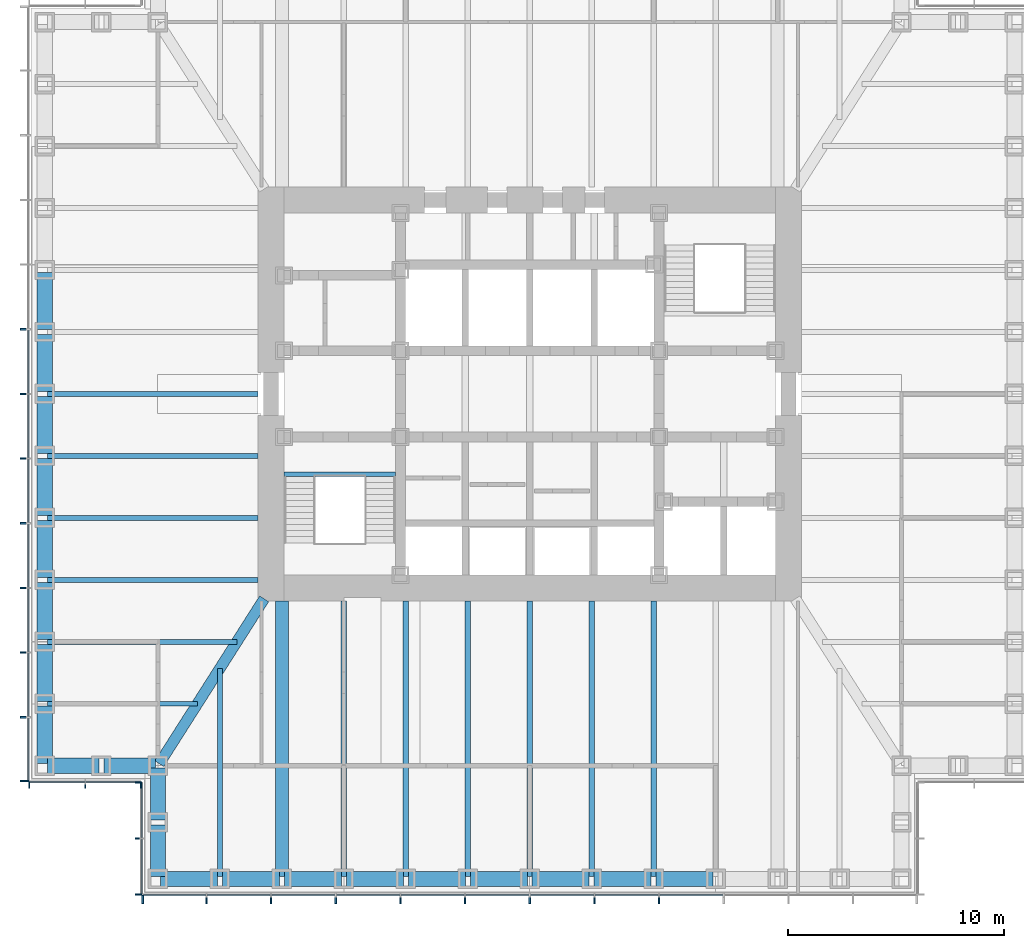
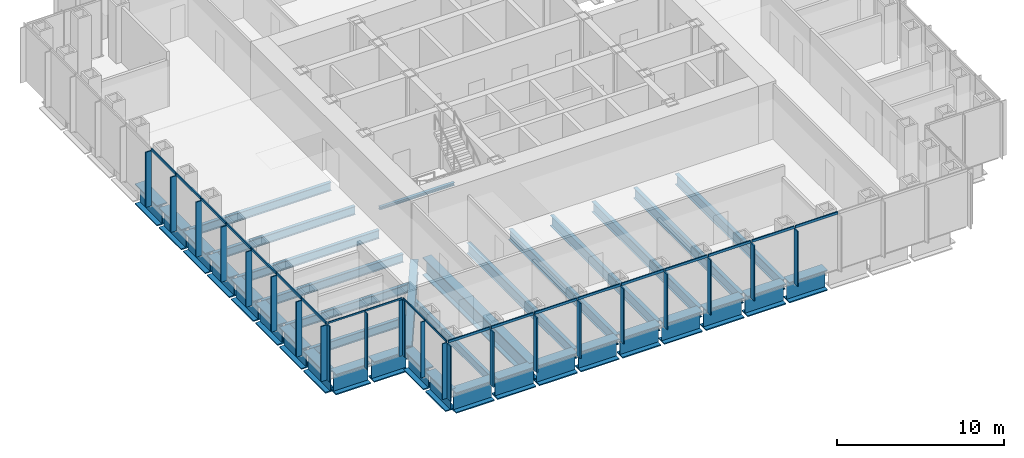
# One storey, part 2 of 17: 43 members, 37 beams, 4 elements without a shape of their own.
"""IFC4 building model written with IfcOpenShell, lengths in metres."""

from ifc_helpers import new_model, si_unit, direction, frame, origin, origin_2d, place, context, subcontext, project, spatial, rectangle, i_section, extrude, material, material_profile, profile_set, type_object, element, aggregate, save


model = new_model("IFC4")

# Units and contexts
model_context = context("Model", 3, precision=1e-05, world=origin(), true_north=direction((0.0, 1.0)))
body_context = subcontext(model_context, "Body", "Model", "MODEL_VIEW")
ifc_project = project(units=[si_unit("LENGTHUNIT", "METRE"), si_unit("AREAUNIT", "SQUARE_METRE"), si_unit("VOLUMEUNIT", "CUBIC_METRE"), si_unit("PLANEANGLEUNIT", "RADIAN"), si_unit("MASSUNIT", "GRAM", prefix="KILO")], contexts=[model_context])

# Site, building, storey
site_placement = place(None, origin())
site = spatial("IfcSite", under=ifc_project, at=site_placement, CompositionType="ELEMENT")
building_placement = place(site_placement, origin())
building = spatial("IfcBuilding", under=site, at=building_placement, Name="Daluyong Arena Tower", CompositionType="ELEMENT")
storey_placement = place(building_placement, frame((0.0, 0.0, 166.89990234375)))
storey = spatial("IfcBuildingStorey", under=building, at=storey_placement, Name="L37", CompositionType="ELEMENT", Elevation=166.89990234375)

# Curtain wall, members
ifc_material_1 = material(Name="Bronze anodised aluminium and glass", Category="aluminium")
curtain_wall_type_1 = type_object("IfcCurtainWallType", Name="Curtain wall CW2", PredefinedType="USERDEFINED", material=ifc_material_1)
curtain_wall_1_placement = place(storey_placement, origin())
curtain_wall_1 = element("IfcCurtainWall", 1, at=curtain_wall_1_placement, inside=storey, type_object=curtain_wall_type_1, Name="curtain wall L37 S", ObjectType="UNITISED CURTAIN WALL", PredefinedType="USERDEFINED")
ifc_material_2 = material(Name="Bronze anodised aluminium fin", Category="aluminium")
ifc_material_profile_1 = material_profile(ifc_material_2, rectangle(XDim=0.39990234375, YDim=0.080078125, at=origin_2d()))
ifc_profile_set_1 = profile_set([ifc_material_profile_1], Name="Bronze anodised aluminium fin")
member_type_1 = type_object("IfcMemberType", Name="CW2 bronze fin 400x80", PredefinedType="MULLION", material=ifc_profile_set_1)
member_1_placement = place(storey_placement, frame((38.0400390625, 56.550048828125, 0.0), z_axis=(0.0, 0.0, 1.0), x_axis=(0.0, 1.0, 0.0)))
member_1 = element("IfcMember", 2, at=member_1_placement, type_object=member_type_1, Name="curtain wall L37 S fin 1", PredefinedType="MULLION", context=body_context, shape_type="SweptSolid", body=[
    extrude(rectangle(XDim=0.39990234375, YDim=0.080078125, at=origin_2d()), origin(), (0.0, 0.0, 1.0), 4.02001953125),
])
member_2_placement = place(storey_placement, frame((41.0, 56.550048828125, 0.0), z_axis=(0.0, 0.0, 1.0), x_axis=(0.0, 1.0, 0.0)))
member_2 = element("IfcMember", 3, at=member_2_placement, type_object=member_type_1, Name="curtain wall L37 S fin 2", PredefinedType="MULLION", context=body_context, shape_type="SweptSolid", body=[
    extrude(rectangle(XDim=0.39990234375, YDim=0.080078125, at=origin_2d()), origin(), (0.0, 0.0, 1.0), 4.02001953125),
])
member_3_placement = place(storey_placement, frame((44.0, 56.550048828125, 0.0), z_axis=(0.0, 0.0, 1.0), x_axis=(0.0, 1.0, 0.0)))
member_3 = element("IfcMember", 4, at=member_3_placement, type_object=member_type_1, Name="curtain wall L37 S fin 3", PredefinedType="MULLION", context=body_context, shape_type="SweptSolid", body=[
    extrude(rectangle(XDim=0.39990234375, YDim=0.080078125, at=origin_2d()), origin(), (0.0, 0.0, 1.0), 4.02001953125),
])
member_4_placement = place(storey_placement, frame((47.0, 56.550048828125, 0.0), z_axis=(0.0, 0.0, 1.0), x_axis=(0.0, 1.0, 0.0)))
member_4 = element("IfcMember", 5, at=member_4_placement, type_object=member_type_1, Name="curtain wall L37 S fin 4", PredefinedType="MULLION", context=body_context, shape_type="SweptSolid", body=[
    extrude(rectangle(XDim=0.39990234375, YDim=0.080078125, at=origin_2d()), origin(), (0.0, 0.0, 1.0), 4.02001953125),
])
member_5_placement = place(storey_placement, frame((50.0, 56.550048828125, 0.0), z_axis=(0.0, 0.0, 1.0), x_axis=(0.0, 1.0, 0.0)))
member_5 = element("IfcMember", 6, at=member_5_placement, type_object=member_type_1, Name="curtain wall L37 S fin 5", PredefinedType="MULLION", context=body_context, shape_type="SweptSolid", body=[
    extrude(rectangle(XDim=0.39990234375, YDim=0.080078125, at=origin_2d()), origin(), (0.0, 0.0, 1.0), 4.02001953125),
])
member_6_placement = place(storey_placement, frame((53.0, 56.550048828125, 0.0), z_axis=(0.0, 0.0, 1.0), x_axis=(0.0, 1.0, 0.0)))
member_6 = element("IfcMember", 7, at=member_6_placement, type_object=member_type_1, Name="curtain wall L37 S fin 6", PredefinedType="MULLION", context=body_context, shape_type="SweptSolid", body=[
    extrude(rectangle(XDim=0.39990234375, YDim=0.080078125, at=origin_2d()), origin(), (0.0, 0.0, 1.0), 4.02001953125),
])
member_7_placement = place(storey_placement, frame((56.0, 56.550048828125, 0.0), z_axis=(0.0, 0.0, 1.0), x_axis=(0.0, 1.0, 0.0)))
member_7 = element("IfcMember", 8, at=member_7_placement, type_object=member_type_1, Name="curtain wall L37 S fin 7", PredefinedType="MULLION", context=body_context, shape_type="SweptSolid", body=[
    extrude(rectangle(XDim=0.39990234375, YDim=0.080078125, at=origin_2d()), origin(), (0.0, 0.0, 1.0), 4.02001953125),
])
member_8_placement = place(storey_placement, frame((59.0, 56.550048828125, 0.0), z_axis=(0.0, 0.0, 1.0), x_axis=(0.0, 1.0, 0.0)))
member_8 = element("IfcMember", 9, at=member_8_placement, type_object=member_type_1, Name="curtain wall L37 S fin 8", PredefinedType="MULLION", context=body_context, shape_type="SweptSolid", body=[
    extrude(rectangle(XDim=0.39990234375, YDim=0.080078125, at=origin_2d()), origin(), (0.0, 0.0, 1.0), 4.02001953125),
])
member_9_placement = place(storey_placement, frame((62.0, 56.550048828125, 0.0), z_axis=(0.0, 0.0, 1.0), x_axis=(0.0, 1.0, 0.0)))
member_9 = element("IfcMember", 10, at=member_9_placement, type_object=member_type_1, Name="curtain wall L37 S fin 9", PredefinedType="MULLION", context=body_context, shape_type="SweptSolid", body=[
    extrude(rectangle(XDim=0.39990234375, YDim=0.080078125, at=origin_2d()), origin(), (0.0, 0.0, 1.0), 4.02001953125),
])

curtain_wall_2_placement = place(storey_placement, origin())
curtain_wall_2 = element("IfcCurtainWall", 11, at=curtain_wall_2_placement, inside=storey, type_object=curtain_wall_type_1, Name="curtain wall L37 W", ObjectType="UNITISED CURTAIN WALL", PredefinedType="USERDEFINED")
member_10_placement = place(storey_placement, frame((32.550048828125, 83.0, 0.0), z_axis=(0.0, 0.0, 1.0), x_axis=(1.0, 0.0, 0.0)))
member_10 = element("IfcMember", 12, at=member_10_placement, type_object=member_type_1, Name="curtain wall L37 W fin 6", PredefinedType="MULLION", context=body_context, shape_type="SweptSolid", body=[
    extrude(rectangle(XDim=0.39990234375, YDim=0.080078125, at=origin_2d()), origin(), (0.0, 0.0, 1.0), 4.02001953125),
])
member_11_placement = place(storey_placement, frame((32.550048828125, 80.0, 0.0), z_axis=(0.0, 0.0, 1.0), x_axis=(1.0, 0.0, 0.0)))
member_11 = element("IfcMember", 13, at=member_11_placement, type_object=member_type_1, Name="curtain wall L37 W fin 7", PredefinedType="MULLION", context=body_context, shape_type="SweptSolid", body=[
    extrude(rectangle(XDim=0.39990234375, YDim=0.080078125, at=origin_2d()), origin(), (0.0, 0.0, 1.0), 4.02001953125),
])
member_12_placement = place(storey_placement, frame((32.550048828125, 77.0, 0.0), z_axis=(0.0, 0.0, 1.0), x_axis=(1.0, 0.0, 0.0)))
member_12 = element("IfcMember", 14, at=member_12_placement, type_object=member_type_1, Name="curtain wall L37 W fin 8", PredefinedType="MULLION", context=body_context, shape_type="SweptSolid", body=[
    extrude(rectangle(XDim=0.39990234375, YDim=0.080078125, at=origin_2d()), origin(), (0.0, 0.0, 1.0), 4.02001953125),
])
member_13_placement = place(storey_placement, frame((32.550048828125, 74.0, 0.0), z_axis=(0.0, 0.0, 1.0), x_axis=(1.0, 0.0, 0.0)))
member_13 = element("IfcMember", 15, at=member_13_placement, type_object=member_type_1, Name="curtain wall L37 W fin 9", PredefinedType="MULLION", context=body_context, shape_type="SweptSolid", body=[
    extrude(rectangle(XDim=0.39990234375, YDim=0.080078125, at=origin_2d()), origin(), (0.0, 0.0, 1.0), 4.02001953125),
])
member_14_placement = place(storey_placement, frame((32.550048828125, 71.0, 0.0), z_axis=(0.0, 0.0, 1.0), x_axis=(1.0, 0.0, 0.0)))
member_14 = element("IfcMember", 16, at=member_14_placement, type_object=member_type_1, Name="curtain wall L37 W fin 10", PredefinedType="MULLION", context=body_context, shape_type="SweptSolid", body=[
    extrude(rectangle(XDim=0.39990234375, YDim=0.080078125, at=origin_2d()), origin(), (0.0, 0.0, 1.0), 4.02001953125),
])
member_15_placement = place(storey_placement, frame((32.550048828125, 68.0, 0.0), z_axis=(0.0, 0.0, 1.0), x_axis=(1.0, 0.0, 0.0)))
member_15 = element("IfcMember", 17, at=member_15_placement, type_object=member_type_1, Name="curtain wall L37 W fin 11", PredefinedType="MULLION", context=body_context, shape_type="SweptSolid", body=[
    extrude(rectangle(XDim=0.39990234375, YDim=0.080078125, at=origin_2d()), origin(), (0.0, 0.0, 1.0), 4.02001953125),
])
member_16_placement = place(storey_placement, frame((32.550048828125, 65.0, 0.0), z_axis=(0.0, 0.0, 1.0), x_axis=(1.0, 0.0, 0.0)))
member_16 = element("IfcMember", 18, at=member_16_placement, type_object=member_type_1, Name="curtain wall L37 W fin 12", PredefinedType="MULLION", context=body_context, shape_type="SweptSolid", body=[
    extrude(rectangle(XDim=0.39990234375, YDim=0.080078125, at=origin_2d()), origin(), (0.0, 0.0, 1.0), 4.02001953125),
])
member_17_placement = place(storey_placement, frame((32.550048828125, 62.0400390625, 0.0), z_axis=(0.0, 0.0, 1.0), x_axis=(1.0, 0.0, 0.0)))
member_17 = element("IfcMember", 19, at=member_17_placement, type_object=member_type_1, Name="curtain wall L37 W fin 13", PredefinedType="MULLION", context=body_context, shape_type="SweptSolid", body=[
    extrude(rectangle(XDim=0.39990234375, YDim=0.080078125, at=origin_2d()), origin(), (0.0, 0.0, 1.0), 4.02001953125),
])

# Member
ifc_material_3 = material(Name="Bronze anodised aluminium", Category="aluminium")
ifc_material_profile_2 = material_profile(ifc_material_3, rectangle(XDim=0.080078125, YDim=0.179931640625, at=origin_2d()))
ifc_profile_set_2 = profile_set([ifc_material_profile_2], Name="Bronze anodised aluminium")
member_type_2 = type_object("IfcMemberType", Name="CW2 stack transom 180x80", PredefinedType="USERDEFINED", material=ifc_profile_set_2)
member_18_placement = place(storey_placement, frame((38.080078125, 56.75, 4.110107421875), z_axis=(1.0, 0.0, 0.0), x_axis=(0.0, 1.0, 0.0)))
member_18 = element("IfcMember", 20, at=member_18_placement, type_object=member_type_2, Name="curtain wall L37 S transom 1", ObjectType="TRANSOM", PredefinedType="USERDEFINED", context=body_context, shape_type="SweptSolid", body=[
    extrude(rectangle(XDim=0.080078125, YDim=0.179931640625, at=origin_2d()), origin(), (0.0, 0.0, 1.0), 2.8798828125),
])

member_19_placement = place(storey_placement, frame((41.0400390625, 56.75, 4.110107421875), z_axis=(1.0, 0.0, 0.0), x_axis=(0.0, 1.0, 0.0)))
member_19 = element("IfcMember", 21, at=member_19_placement, type_object=member_type_2, Name="curtain wall L37 S transom 2", ObjectType="TRANSOM", PredefinedType="USERDEFINED", context=body_context, shape_type="SweptSolid", body=[
    extrude(rectangle(XDim=0.080078125, YDim=0.179931640625, at=origin_2d()), origin(), (0.0, 0.0, 1.0), 2.919921875),
])

member_20_placement = place(storey_placement, frame((44.0400390625, 56.75, 4.110107421875), z_axis=(1.0, 0.0, 0.0), x_axis=(0.0, 1.0, 0.0)))
member_20 = element("IfcMember", 22, at=member_20_placement, type_object=member_type_2, Name="curtain wall L37 S transom 3", ObjectType="TRANSOM", PredefinedType="USERDEFINED", context=body_context, shape_type="SweptSolid", body=[
    extrude(rectangle(XDim=0.080078125, YDim=0.179931640625, at=origin_2d()), origin(), (0.0, 0.0, 1.0), 2.919921875),
])

member_21_placement = place(storey_placement, frame((47.0400390625, 56.75, 4.110107421875), z_axis=(1.0, 0.0, 0.0), x_axis=(0.0, 1.0, 0.0)))
member_21 = element("IfcMember", 23, at=member_21_placement, type_object=member_type_2, Name="curtain wall L37 S transom 4", ObjectType="TRANSOM", PredefinedType="USERDEFINED", context=body_context, shape_type="SweptSolid", body=[
    extrude(rectangle(XDim=0.080078125, YDim=0.179931640625, at=origin_2d()), origin(), (0.0, 0.0, 1.0), 2.919921875),
])

member_22_placement = place(storey_placement, frame((50.0400390625, 56.75, 4.110107421875), z_axis=(1.0, 0.0, 0.0), x_axis=(0.0, 1.0, 0.0)))
member_22 = element("IfcMember", 24, at=member_22_placement, type_object=member_type_2, Name="curtain wall L37 S transom 5", ObjectType="TRANSOM", PredefinedType="USERDEFINED", context=body_context, shape_type="SweptSolid", body=[
    extrude(rectangle(XDim=0.080078125, YDim=0.179931640625, at=origin_2d()), origin(), (0.0, 0.0, 1.0), 2.919921875),
])

member_23_placement = place(storey_placement, frame((53.0400390625, 56.75, 4.110107421875), z_axis=(1.0, 0.0, 0.0), x_axis=(0.0, 1.0, 0.0)))
member_23 = element("IfcMember", 25, at=member_23_placement, type_object=member_type_2, Name="curtain wall L37 S transom 6", ObjectType="TRANSOM", PredefinedType="USERDEFINED", context=body_context, shape_type="SweptSolid", body=[
    extrude(rectangle(XDim=0.080078125, YDim=0.179931640625, at=origin_2d()), origin(), (0.0, 0.0, 1.0), 2.919921875),
])

member_24_placement = place(storey_placement, frame((56.0400390625, 56.75, 4.110107421875), z_axis=(1.0, 0.0, 0.0), x_axis=(0.0, 1.0, 0.0)))
member_24 = element("IfcMember", 26, at=member_24_placement, type_object=member_type_2, Name="curtain wall L37 S transom 7", ObjectType="TRANSOM", PredefinedType="USERDEFINED", context=body_context, shape_type="SweptSolid", body=[
    extrude(rectangle(XDim=0.080078125, YDim=0.179931640625, at=origin_2d()), origin(), (0.0, 0.0, 1.0), 2.919921875),
])

member_25_placement = place(storey_placement, frame((59.0400390625, 56.75, 4.110107421875), z_axis=(1.0, 0.0, 0.0), x_axis=(0.0, 1.0, 0.0)))
member_25 = element("IfcMember", 27, at=member_25_placement, type_object=member_type_2, Name="curtain wall L37 S transom 8", ObjectType="TRANSOM", PredefinedType="USERDEFINED", context=body_context, shape_type="SweptSolid", body=[
    extrude(rectangle(XDim=0.080078125, YDim=0.179931640625, at=origin_2d()), origin(), (0.0, 0.0, 1.0), 2.919921875),
])

member_26_placement = place(storey_placement, frame((62.0400390625, 56.75, 4.110107421875), z_axis=(1.0, 0.0, 0.0), x_axis=(0.0, 1.0, 0.0)))
member_26 = element("IfcMember", 28, at=member_26_placement, type_object=member_type_2, Name="curtain wall L37 S transom 9", ObjectType="TRANSOM", PredefinedType="USERDEFINED", context=body_context, shape_type="SweptSolid", body=[
    extrude(rectangle(XDim=0.080078125, YDim=0.179931640625, at=origin_2d()), origin(), (0.0, 0.0, 1.0), 2.919921875),
])

aggregate(curtain_wall_1, [member_1, member_2, member_3, member_4, member_5, member_6, member_7, member_8, member_9, member_18, member_19, member_20, member_21, member_22, member_23, member_24, member_25, member_26])

member_27_placement = place(storey_placement, frame((32.75, 82.9599609375, 4.110107421875), z_axis=(0.0, -1.0, 0.0), x_axis=(1.0, 0.0, 0.0)))
member_27 = element("IfcMember", 29, at=member_27_placement, type_object=member_type_2, Name="curtain wall L37 W transom 6", ObjectType="TRANSOM", PredefinedType="USERDEFINED", context=body_context, shape_type="SweptSolid", body=[
    extrude(rectangle(XDim=0.080078125, YDim=0.179931640625, at=origin_2d()), origin(), (0.0, 0.0, 1.0), 2.919921875),
])

member_28_placement = place(storey_placement, frame((32.75, 79.9599609375, 4.110107421875), z_axis=(0.0, -1.0, 0.0), x_axis=(1.0, 0.0, 0.0)))
member_28 = element("IfcMember", 30, at=member_28_placement, type_object=member_type_2, Name="curtain wall L37 W transom 7", ObjectType="TRANSOM", PredefinedType="USERDEFINED", context=body_context, shape_type="SweptSolid", body=[
    extrude(rectangle(XDim=0.080078125, YDim=0.179931640625, at=origin_2d()), origin(), (0.0, 0.0, 1.0), 2.919921875),
])

member_29_placement = place(storey_placement, frame((32.75, 76.9599609375, 4.110107421875), z_axis=(0.0, -1.0, 0.0), x_axis=(1.0, 0.0, 0.0)))
member_29 = element("IfcMember", 31, at=member_29_placement, type_object=member_type_2, Name="curtain wall L37 W transom 8", ObjectType="TRANSOM", PredefinedType="USERDEFINED", context=body_context, shape_type="SweptSolid", body=[
    extrude(rectangle(XDim=0.080078125, YDim=0.179931640625, at=origin_2d()), origin(), (0.0, 0.0, 1.0), 2.919921875),
])

member_30_placement = place(storey_placement, frame((32.75, 73.9599609375, 4.110107421875), z_axis=(0.0, -1.0, 0.0), x_axis=(1.0, 0.0, 0.0)))
member_30 = element("IfcMember", 32, at=member_30_placement, type_object=member_type_2, Name="curtain wall L37 W transom 9", ObjectType="TRANSOM", PredefinedType="USERDEFINED", context=body_context, shape_type="SweptSolid", body=[
    extrude(rectangle(XDim=0.080078125, YDim=0.179931640625, at=origin_2d()), origin(), (0.0, 0.0, 1.0), 2.919921875),
])

member_31_placement = place(storey_placement, frame((32.75, 70.9599609375, 4.110107421875), z_axis=(0.0, -1.0, 0.0), x_axis=(1.0, 0.0, 0.0)))
member_31 = element("IfcMember", 33, at=member_31_placement, type_object=member_type_2, Name="curtain wall L37 W transom 10", ObjectType="TRANSOM", PredefinedType="USERDEFINED", context=body_context, shape_type="SweptSolid", body=[
    extrude(rectangle(XDim=0.080078125, YDim=0.179931640625, at=origin_2d()), origin(), (0.0, 0.0, 1.0), 2.919921875),
])

member_32_placement = place(storey_placement, frame((32.75, 67.9599609375, 4.110107421875), z_axis=(0.0, -1.0, 0.0), x_axis=(1.0, 0.0, 0.0)))
member_32 = element("IfcMember", 34, at=member_32_placement, type_object=member_type_2, Name="curtain wall L37 W transom 11", ObjectType="TRANSOM", PredefinedType="USERDEFINED", context=body_context, shape_type="SweptSolid", body=[
    extrude(rectangle(XDim=0.080078125, YDim=0.179931640625, at=origin_2d()), origin(), (0.0, 0.0, 1.0), 2.919921875),
])

member_33_placement = place(storey_placement, frame((32.75, 64.9599609375, 4.110107421875), z_axis=(0.0, -1.0, 0.0), x_axis=(1.0, 0.0, 0.0)))
member_33 = element("IfcMember", 35, at=member_33_placement, type_object=member_type_2, Name="curtain wall L37 W transom 12", ObjectType="TRANSOM", PredefinedType="USERDEFINED", context=body_context, shape_type="SweptSolid", body=[
    extrude(rectangle(XDim=0.080078125, YDim=0.179931640625, at=origin_2d()), origin(), (0.0, 0.0, 1.0), 2.8798828125),
])

aggregate(curtain_wall_2, [member_10, member_11, member_12, member_13, member_14, member_15, member_16, member_17, member_27, member_28, member_29, member_30, member_31, member_32, member_33])

# Curtain wall, members
ifc_material_4 = material(Name="Bronze anodised aluminium and glass", Category="aluminium")
curtain_wall_type_2 = type_object("IfcCurtainWallType", Name="Curtain wall CW7", PredefinedType="USERDEFINED", material=ifc_material_4)
curtain_wall_3_placement = place(storey_placement, origin())
curtain_wall_3 = element("IfcCurtainWall", 36, at=curtain_wall_3_placement, inside=storey, type_object=curtain_wall_type_2, Name="curtain wall L37 SW-S", ObjectType="UNITISED CURTAIN WALL", PredefinedType="USERDEFINED")
ifc_material_5 = material(Name="Bronze anodised aluminium fin", Category="aluminium")
ifc_material_profile_3 = material_profile(ifc_material_5, rectangle(XDim=0.300048828125, YDim=0.06005859375, at=origin_2d()))
ifc_profile_set_3 = profile_set([ifc_material_profile_3], Name="Bronze anodised aluminium fin")
member_type_3 = type_object("IfcMemberType", Name="CW7 bronze fin 300x60", PredefinedType="MULLION", material=ifc_profile_set_3)
member_34_placement = place(storey_placement, frame((32.780029296875, 61.85009765625, 0.0), z_axis=(0.0, 0.0, 1.0), x_axis=(0.0, 1.0, 0.0)))
member_34 = element("IfcMember", 37, at=member_34_placement, type_object=member_type_3, Name="curtain wall L37 SW-S fin 1", PredefinedType="MULLION", context=body_context, shape_type="SweptSolid", body=[
    extrude(rectangle(XDim=0.300048828125, YDim=0.06005859375, at=origin_2d()), origin(), (0.0, 0.0, 1.0), 4.080078125),
])
member_35_placement = place(storey_placement, frame((35.375, 61.85009765625, 0.0), z_axis=(0.0, 0.0, 1.0), x_axis=(0.0, 1.0, 0.0)))
member_35 = element("IfcMember", 38, at=member_35_placement, type_object=member_type_3, Name="curtain wall L37 SW-S fin 2", PredefinedType="MULLION", context=body_context, shape_type="SweptSolid", body=[
    extrude(rectangle(XDim=0.300048828125, YDim=0.06005859375, at=origin_2d()), origin(), (0.0, 0.0, 1.0), 4.080078125),
])
member_36_placement = place(storey_placement, frame((37.969970703125, 61.85009765625, 0.0), z_axis=(0.0, 0.0, 1.0), x_axis=(0.0, 1.0, 0.0)))
member_36 = element("IfcMember", 39, at=member_36_placement, type_object=member_type_3, Name="curtain wall L37 SW-S fin 3", PredefinedType="MULLION", context=body_context, shape_type="SweptSolid", body=[
    extrude(rectangle(XDim=0.300048828125, YDim=0.06005859375, at=origin_2d()), origin(), (0.0, 0.0, 1.0), 4.080078125),
])

curtain_wall_4_placement = place(storey_placement, origin())
curtain_wall_4 = element("IfcCurtainWall", 40, at=curtain_wall_4_placement, inside=storey, type_object=curtain_wall_type_2, Name="curtain wall L37 SW-W", ObjectType="UNITISED CURTAIN WALL", PredefinedType="USERDEFINED")
member_37_placement = place(storey_placement, frame((37.85009765625, 61.969970703125, 0.0), z_axis=(0.0, 0.0, 1.0), x_axis=(1.0, 0.0, 0.0)))
member_37 = element("IfcMember", 41, at=member_37_placement, type_object=member_type_3, Name="curtain wall L37 SW-W fin 1", PredefinedType="MULLION", context=body_context, shape_type="SweptSolid", body=[
    extrude(rectangle(XDim=0.300048828125, YDim=0.06005859375, at=origin_2d()), origin(), (0.0, 0.0, 1.0), 4.080078125),
])
member_38_placement = place(storey_placement, frame((37.85009765625, 59.375, 0.0), z_axis=(0.0, 0.0, 1.0), x_axis=(1.0, 0.0, 0.0)))
member_38 = element("IfcMember", 42, at=member_38_placement, type_object=member_type_3, Name="curtain wall L37 SW-W fin 2", PredefinedType="MULLION", context=body_context, shape_type="SweptSolid", body=[
    extrude(rectangle(XDim=0.300048828125, YDim=0.06005859375, at=origin_2d()), origin(), (0.0, 0.0, 1.0), 4.080078125),
])
member_39_placement = place(storey_placement, frame((37.85009765625, 56.780029296875, 0.0), z_axis=(0.0, 0.0, 1.0), x_axis=(1.0, 0.0, 0.0)))
member_39 = element("IfcMember", 43, at=member_39_placement, type_object=member_type_3, Name="curtain wall L37 SW-W fin 3", PredefinedType="MULLION", context=body_context, shape_type="SweptSolid", body=[
    extrude(rectangle(XDim=0.300048828125, YDim=0.06005859375, at=origin_2d()), origin(), (0.0, 0.0, 1.0), 4.080078125),
])

# Member
ifc_material_6 = material(Name="Bronze anodised aluminium", Category="aluminium")
ifc_material_profile_4 = material_profile(ifc_material_6, rectangle(XDim=0.06005859375, YDim=0.1201171875, at=origin_2d()))
ifc_profile_set_4 = profile_set([ifc_material_profile_4], Name="Bronze anodised aluminium")
member_type_4 = type_object("IfcMemberType", Name="CW7 stack transom 120x60", PredefinedType="USERDEFINED", material=ifc_profile_set_4)
member_40_placement = place(storey_placement, frame((32.81005859375, 62.0, 4.14013671875), z_axis=(1.0, 0.0, 0.0), x_axis=(0.0, 1.0, 0.0)))
member_40 = element("IfcMember", 44, at=member_40_placement, type_object=member_type_4, Name="curtain wall L37 SW-S transom 1", ObjectType="TRANSOM", PredefinedType="USERDEFINED", context=body_context, shape_type="SweptSolid", body=[
    extrude(rectangle(XDim=0.06005859375, YDim=0.1201171875, at=origin_2d()), origin(), (0.0, 0.0, 1.0), 2.534912109375),
])

member_41_placement = place(storey_placement, frame((35.405029296875, 62.0, 4.14013671875), z_axis=(1.0, 0.0, 0.0), x_axis=(0.0, 1.0, 0.0)))
member_41 = element("IfcMember", 45, at=member_41_placement, type_object=member_type_4, Name="curtain wall L37 SW-S transom 2", ObjectType="TRANSOM", PredefinedType="USERDEFINED", context=body_context, shape_type="SweptSolid", body=[
    extrude(rectangle(XDim=0.06005859375, YDim=0.1201171875, at=origin_2d()), origin(), (0.0, 0.0, 1.0), 2.534912109375),
])

aggregate(curtain_wall_3, [member_34, member_35, member_36, member_40, member_41])

member_42_placement = place(storey_placement, frame((38.0, 61.93994140625, 4.14013671875), z_axis=(0.0, -1.0, 0.0), x_axis=(1.0, 0.0, 0.0)))
member_42 = element("IfcMember", 46, at=member_42_placement, type_object=member_type_4, Name="curtain wall L37 SW-W transom 1", ObjectType="TRANSOM", PredefinedType="USERDEFINED", context=body_context, shape_type="SweptSolid", body=[
    extrude(rectangle(XDim=0.06005859375, YDim=0.1201171875, at=origin_2d()), origin(), (0.0, 0.0, 1.0), 2.534912109375),
])

member_43_placement = place(storey_placement, frame((38.0, 59.344970703125, 4.14013671875), z_axis=(0.0, -1.0, 0.0), x_axis=(1.0, 0.0, 0.0)))
member_43 = element("IfcMember", 47, at=member_43_placement, type_object=member_type_4, Name="curtain wall L37 SW-W transom 2", ObjectType="TRANSOM", PredefinedType="USERDEFINED", context=body_context, shape_type="SweptSolid", body=[
    extrude(rectangle(XDim=0.06005859375, YDim=0.1201171875, at=origin_2d()), origin(), (0.0, 0.0, 1.0), 2.534912109375),
])

aggregate(curtain_wall_4, [member_37, member_38, member_39, member_42, member_43])

# Beams
ifc_material_7 = material(Name="Steel ASTM A572 Grade 50", Category="steel")
ifc_material_profile_5 = material_profile(ifc_material_7, i_section(OverallWidth=0.5, OverallDepth=1.0, WebThickness=0.03, FlangeThickness=0.06, at=origin_2d()))
ifc_profile_set_5 = profile_set([ifc_material_profile_5], Name="Steel ASTM A572 Grade 50")
beam_type_1 = type_object("IfcBeamType", Name="Corner girder TB1000X500", PredefinedType="BEAM", material=ifc_profile_set_5)
beam_1_placement = place(storey_placement, frame((38.811767578125, 62.846923828125, -0.659912109375), z_axis=(0.536872006459, 0.843663705916, 0.0), x_axis=(-0.843663705916, 0.536872006459, 0.0)))
element("IfcBeam", 48, at=beam_1_placement, inside=storey, type_object=beam_type_1, Name="corner girder DG2", PredefinedType="BEAM", context=body_context, shape_type="SweptSolid", body=[
    extrude(i_section(OverallWidth=0.5, OverallDepth=1.0, WebThickness=0.03, FlangeThickness=0.06, at=origin_2d()), origin(), (0.0, 0.0, 1.0), 9.06396484375),
])
ifc_material_8 = material(Name="Steel ASTM A572 Grade 50", Category="steel")
ifc_material_profile_6 = material_profile(ifc_material_8, i_section(OverallWidth=0.60009765625, OverallDepth=1.300048828125, WebThickness=0.035, FlangeThickness=0.07, at=origin_2d()))
ifc_profile_set_6 = profile_set([ifc_material_profile_6], Name="Steel ASTM A572 Grade 50")
beam_type_2 = type_object("IfcBeamType", Name="Floor beam TB1300X600", PredefinedType="BEAM", material=ifc_profile_set_6)
beam_2_placement = place(storey_placement, frame((44.5, 57.614990234375, -0.809814453125), z_axis=(0.0, 1.0, 0.0), x_axis=(-1.0, 0.0, 0.0)))
element("IfcBeam", 49, at=beam_2_placement, inside=storey, type_object=beam_type_2, Name="floor beam FB7", PredefinedType="BEAM", context=body_context, shape_type="SweptSolid", body=[
    extrude(i_section(OverallWidth=0.60009765625, OverallDepth=1.300048828125, WebThickness=0.035, FlangeThickness=0.07, at=origin_2d()), origin(), (0.0, 0.0, 1.0), 12.784912109375),
])
ifc_material_9 = material(Name="Steel ASTM A992 Grade 50", Category="steel")
ifc_material_profile_7 = material_profile(ifc_material_9, i_section(OverallWidth=0.22900390625, OverallDepth=0.612060546875, WebThickness=0.011962890625, FlangeThickness=0.01953125, at=origin_2d()))
ifc_profile_set_7 = profile_set([ifc_material_profile_7], Name="Steel ASTM A992 Grade 50")
beam_type_3 = type_object("IfcBeamType", Name="Floor beam W24X84", PredefinedType="BEAM", material=ifc_profile_set_7)
beam_3_placement = place(storey_placement, frame((41.625, 57.614990234375, -0.466064453125), z_axis=(0.0, 1.0, 0.0), x_axis=(-1.0, 0.0, 0.0)))
element("IfcBeam", 50, at=beam_3_placement, inside=storey, type_object=beam_type_3, Name="floor beam FB3", PredefinedType="BEAM", context=body_context, shape_type="SweptSolid", body=[
    extrude(i_section(OverallWidth=0.22900390625, OverallDepth=0.612060546875, WebThickness=0.011962890625, FlangeThickness=0.01953125, at=origin_2d()), origin(), (0.0, 0.0, 1.0), 9.65283203125),
])
for number, where, z_axis, x_axis, name in (
    (51, (33.614990234375, 80.0, -0.466064453125), (1.0, 0.0, 0.0), (0.0, 1.0, 0.0), "floor beam FB3"),
    (52, (33.614990234375, 77.125, -0.466064453125), (1.0, 0.0, 0.0), (0.0, 1.0, 0.0), "floor beam FB3"),
    (53, (33.614990234375, 74.25, -0.466064453125), (1.0, 0.0, 0.0), (0.0, 1.0, 0.0), "floor beam FB3"),
    (54, (33.614990234375, 71.375, -0.466064453125), (1.0, 0.0, 0.0), (0.0, 1.0, 0.0), "floor beam FB3"),
):
    element("IfcBeam", number, at=place(storey_placement, frame(where, z_axis=z_axis, x_axis=x_axis)), inside=storey, type_object=beam_type_3, Name=name, PredefinedType="BEAM", context=body_context, shape_type="SweptSolid", body=[
        extrude(i_section(OverallWidth=0.22900390625, OverallDepth=0.612060546875, WebThickness=0.011962890625, FlangeThickness=0.01953125, at=origin_2d()), origin(), (0.0, 0.0, 1.0), 9.784912109375),
    ])
beam_4_placement = place(storey_placement, frame((33.614990234375, 68.5, -0.466064453125), z_axis=(1.0, 0.0, 0.0), x_axis=(0.0, 1.0, 0.0)))
element("IfcBeam", 55, at=beam_4_placement, inside=storey, type_object=beam_type_3, Name="floor beam FB3", PredefinedType="BEAM", context=body_context, shape_type="SweptSolid", body=[
    extrude(i_section(OverallWidth=0.22900390625, OverallDepth=0.612060546875, WebThickness=0.011962890625, FlangeThickness=0.01953125, at=origin_2d()), origin(), (0.0, 0.0, 1.0), 8.794189453125),
])
beam_5_placement = place(storey_placement, frame((33.614990234375, 65.625, -0.466064453125), z_axis=(1.0, 0.0, 0.0), x_axis=(0.0, 1.0, 0.0)))
element("IfcBeam", 56, at=beam_5_placement, inside=storey, type_object=beam_type_3, Name="floor beam FB3", PredefinedType="BEAM", context=body_context, shape_type="SweptSolid", body=[
    extrude(i_section(OverallWidth=0.22900390625, OverallDepth=0.612060546875, WebThickness=0.011962890625, FlangeThickness=0.01953125, at=origin_2d()), origin(), (0.0, 0.0, 1.0), 6.964599609375),
])
ifc_material_10 = material(Name="Steel ASTM A992 Grade 50", Category="steel")
ifc_material_profile_8 = material_profile(ifc_material_10, i_section(OverallWidth=0.2666015625, OverallDepth=0.761962890625, WebThickness=0.014404296875, FlangeThickness=0.021484375, at=origin_2d()))
ifc_profile_set_8 = profile_set([ifc_material_profile_8], Name="Steel ASTM A992 Grade 50")
beam_type_4 = type_object("IfcBeamType", Name="Floor beam W30X116", PredefinedType="BEAM", material=ifc_profile_set_8)
for number, where, z_axis, x_axis, name in (
    (57, (47.375, 57.614990234375, -0.541015625), (0.0, 1.0, 0.0), (-1.0, 0.0, 0.0), "floor beam FB4"),
    (58, (50.25, 57.614990234375, -0.541015625), (0.0, 1.0, 0.0), (-1.0, 0.0, 0.0), "floor beam FB4"),
    (59, (53.125, 57.614990234375, -0.541015625), (0.0, 1.0, 0.0), (-1.0, 0.0, 0.0), "floor beam FB4"),
    (60, (56.0, 57.614990234375, -0.541015625), (0.0, 1.0, 0.0), (-1.0, 0.0, 0.0), "floor beam FB4"),
    (61, (58.875, 57.614990234375, -0.541015625), (0.0, 1.0, 0.0), (-1.0, 0.0, 0.0), "floor beam FB4"),
    (62, (61.75, 57.614990234375, -0.541015625), (0.0, 1.0, 0.0), (-1.0, 0.0, 0.0), "floor beam FB4"),
):
    element("IfcBeam", number, at=place(storey_placement, frame(where, z_axis=z_axis, x_axis=x_axis)), inside=storey, type_object=beam_type_4, Name=name, PredefinedType="BEAM", context=body_context, shape_type="SweptSolid", body=[
        extrude(i_section(OverallWidth=0.2666015625, OverallDepth=0.761962890625, WebThickness=0.014404296875, FlangeThickness=0.021484375, at=origin_2d()), origin(), (0.0, 0.0, 1.0), 12.784912109375),
    ])
ifc_material_11 = material(Name="Steel ASTM A572 Grade 50", Category="steel")
ifc_material_profile_9 = material_profile(ifc_material_11, i_section(OverallWidth=0.699951171875, OverallDepth=1.5, WebThickness=0.04, FlangeThickness=0.08, at=origin_2d()))
ifc_profile_set_9 = profile_set([ifc_material_profile_9], Name="Steel ASTM A572 Grade 50")
beam_type_5 = type_object("IfcBeamType", Name="Spandrel Z2 PG1500X700", PredefinedType="SPANDREL", material=ifc_profile_set_9)
for number, where, z_axis, x_axis, name in (
    (63, (38.864990234375, 57.5, -0.909912109375), (1.0, 0.0, 0.0), (0.0, 1.0, 0.0), "spandrel z2 SB6"),
    (64, (41.739990234375, 57.5, -0.909912109375), (1.0, 0.0, 0.0), (0.0, 1.0, 0.0), "spandrel z2 SB6"),
    (65, (44.614990234375, 57.5, -0.909912109375), (1.0, 0.0, 0.0), (0.0, 1.0, 0.0), "spandrel z2 SB6"),
    (66, (47.489990234375, 57.5, -0.909912109375), (1.0, 0.0, 0.0), (0.0, 1.0, 0.0), "spandrel z2 SB6"),
    (67, (50.364990234375, 57.5, -0.909912109375), (1.0, 0.0, 0.0), (0.0, 1.0, 0.0), "spandrel z2 SB6"),
    (68, (53.239990234375, 57.5, -0.909912109375), (1.0, 0.0, 0.0), (0.0, 1.0, 0.0), "spandrel z2 SB6"),
    (69, (56.114990234375, 57.5, -0.909912109375), (1.0, 0.0, 0.0), (0.0, 1.0, 0.0), "spandrel z2 SB6"),
    (70, (58.989990234375, 57.5, -0.909912109375), (1.0, 0.0, 0.0), (0.0, 1.0, 0.0), "spandrel z2 SB6"),
    (71, (61.864990234375, 57.5, -0.909912109375), (1.0, 0.0, 0.0), (0.0, 1.0, 0.0), "spandrel z2 SB6"),
    (72, (33.5, 85.635009765625, -0.909912109375), (0.0, -1.0, 0.0), (1.0, 0.0, 0.0), "spandrel z2 SB6"),
    (73, (33.5, 82.760009765625, -0.909912109375), (0.0, -1.0, 0.0), (1.0, 0.0, 0.0), "spandrel z2 SB6"),
    (74, (33.5, 79.885009765625, -0.909912109375), (0.0, -1.0, 0.0), (1.0, 0.0, 0.0), "spandrel z2 SB6"),
    (75, (33.5, 77.010009765625, -0.909912109375), (0.0, -1.0, 0.0), (1.0, 0.0, 0.0), "spandrel z2 SB6"),
    (76, (33.5, 74.135009765625, -0.909912109375), (0.0, -1.0, 0.0), (1.0, 0.0, 0.0), "spandrel z2 SB6"),
    (77, (33.5, 71.260009765625, -0.909912109375), (0.0, -1.0, 0.0), (1.0, 0.0, 0.0), "spandrel z2 SB6"),
    (78, (33.5, 68.385009765625, -0.909912109375), (0.0, -1.0, 0.0), (1.0, 0.0, 0.0), "spandrel z2 SB6"),
    (79, (33.5, 65.510009765625, -0.909912109375), (0.0, -1.0, 0.0), (1.0, 0.0, 0.0), "spandrel z2 SB6"),
):
    element("IfcBeam", number, at=place(storey_placement, frame(where, z_axis=z_axis, x_axis=x_axis)), inside=storey, type_object=beam_type_5, Name=name, PredefinedType="SPANDREL", context=body_context, shape_type="SweptSolid", body=[
        extrude(i_section(OverallWidth=0.699951171875, OverallDepth=1.5, WebThickness=0.04, FlangeThickness=0.08, at=origin_2d()), origin(), (0.0, 0.0, 1.0), 2.64501953125),
    ])
for number, where, z_axis, x_axis, name in (
    (80, (33.614990234375, 62.75, -0.909912109375), (1.0, 0.0, 0.0), (0.0, 1.0, 0.0), "spandrel z2 SB6"),
    (81, (36.239990234375, 62.75, -0.909912109375), (1.0, 0.0, 0.0), (0.0, 1.0, 0.0), "spandrel z2 SB6"),
    (82, (38.75, 62.635009765625, -0.909912109375), (0.0, -1.0, 0.0), (1.0, 0.0, 0.0), "spandrel z2 SB6"),
    (83, (38.75, 60.010009765625, -0.909912109375), (0.0, -1.0, 0.0), (1.0, 0.0, 0.0), "spandrel z2 SB6"),
):
    element("IfcBeam", number, at=place(storey_placement, frame(where, z_axis=z_axis, x_axis=x_axis)), inside=storey, type_object=beam_type_5, Name=name, PredefinedType="SPANDREL", context=body_context, shape_type="SweptSolid", body=[
        extrude(i_section(OverallWidth=0.699951171875, OverallDepth=1.5, WebThickness=0.04, FlangeThickness=0.08, at=origin_2d()), origin(), (0.0, 0.0, 1.0), 2.39501953125),
    ])
ifc_material_12 = material(Name="Steel ASTM A992 Grade 50", Category="steel")
ifc_material_profile_10 = material_profile(ifc_material_12, i_section(OverallWidth=0.203125, OverallDepth=0.203125, WebThickness=0.00732421875, FlangeThickness=0.010986328125, at=origin_2d()))
ifc_profile_set_10 = profile_set([ifc_material_profile_10], Name="Steel ASTM A992 Grade 50")
beam_type_6 = type_object("IfcBeamType", Name="Stair landing beam W8X31", PredefinedType="BEAM", material=ifc_profile_set_10)
beam_6_placement = place(storey_placement, frame((44.60009765625, 76.276611328125, -0.261474609375), z_axis=(1.0, 0.0, 0.0), x_axis=(0.0, 1.0, 0.0)))
element("IfcBeam", 84, at=beam_6_placement, inside=storey, type_object=beam_type_6, Name="exit stair A landing beam", PredefinedType="BEAM", context=body_context, shape_type="SweptSolid", body=[
    extrude(i_section(OverallWidth=0.203125, OverallDepth=0.203125, WebThickness=0.00732421875, FlangeThickness=0.010986328125, at=origin_2d()), origin(), (0.0, 0.0, 1.0), 5.1748046875),
])

save(model, "model.ifc")
